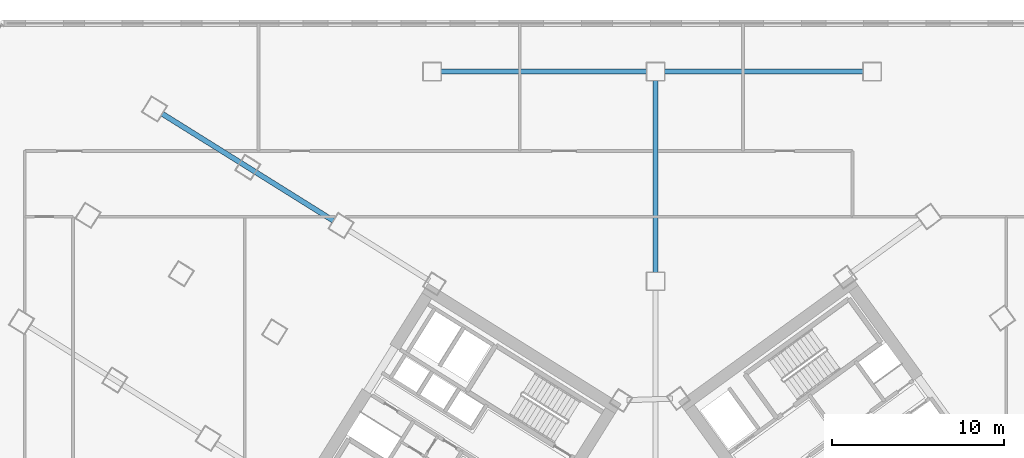
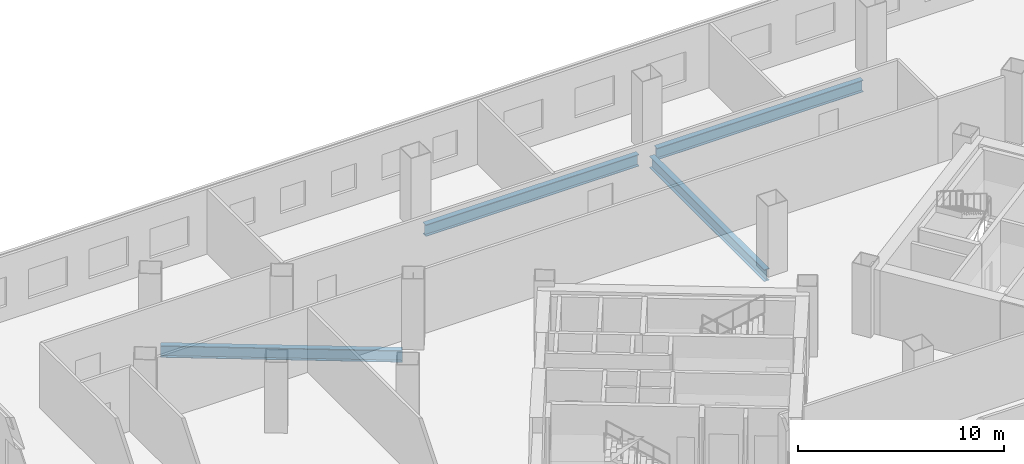
# One storey, part 5 of 22: 4 beams.
"""IFC4 building model written with IfcOpenShell, lengths in metres."""

from ifc_helpers import new_model, si_unit, direction, frame, origin, origin_2d, place, context, subcontext, project, spatial, i_section, extrude, source, transform, mapped, material, material_profile, profile_set, type_object, element, save


model = new_model("IFC4")

# Units and contexts
model_context = context("Model", 3, precision=1e-05, world=origin(), true_north=direction((0.0, 1.0)))
body_context = subcontext(model_context, "Body", "Model", "MODEL_VIEW")
ifc_project = project(units=[si_unit("LENGTHUNIT", "METRE"), si_unit("AREAUNIT", "SQUARE_METRE"), si_unit("VOLUMEUNIT", "CUBIC_METRE"), si_unit("PLANEANGLEUNIT", "RADIAN"), si_unit("MASSUNIT", "GRAM", prefix="KILO")], contexts=[model_context])

# Site, building, storey
site_placement = place(None, origin())
site = spatial("IfcSite", under=ifc_project, at=site_placement, CompositionType="ELEMENT")
building_placement = place(site_placement, origin())
building = spatial("IfcBuilding", under=site, at=building_placement, Name="Tlacorven Tower", CompositionType="ELEMENT")
storey_placement = place(building_placement, frame((0.0, 0.0, 14.39990234375)))
storey = spatial("IfcBuildingStorey", under=building, at=storey_placement, Name="L03", CompositionType="ELEMENT", Elevation=14.39990234375)

# Beams
ifc_material = material(Name="Steel S355J2", Category="steel")
ifc_material_profile = material_profile(ifc_material, i_section(OverallWidth=0.300048828125, OverallDepth=0.699951171875, WebThickness=0.01708984375, FlangeThickness=0.031982421875, at=origin_2d()), Name="HEB 700")
ifc_profile_set = profile_set([ifc_material_profile], Name="Steel S355J2")
beam_type = type_object("IfcBeamType", Name="BM-POD-700", PredefinedType="BEAM", material=ifc_profile_set)
shared_shape_1 = source(origin(), body_context, "Body", "SweptSolid", [
    extrude(i_section(OverallWidth=0.300048828125, OverallDepth=0.699951171875, WebThickness=0.01708984375, FlangeThickness=0.031982421875, at=origin_2d()), origin(), (0.0, 0.0, 1.0), 11.97998046875),
])
beam_1_placement = place(storey_placement, frame((30.31005859375, 43.60009765625, -0.699951171875), z_axis=(1.0, 0.0, 0.0), x_axis=(0.0, 1.0, 0.0)))
element("IfcBeam", 1, at=beam_1_placement, inside=storey, type_object=beam_type, Name="L03 beam BM-L03-GX4-1", PredefinedType="BEAM", context=body_context, shape_type="MappedRepresentation", body=[
    mapped(shared_shape_1, transform((0.0, 0.0, 0.0), scale=1.0)),
])
shared_shape_2 = source(origin(), body_context, "Body", "SweptSolid", [
    extrude(i_section(OverallWidth=0.300048828125, OverallDepth=0.699951171875, WebThickness=0.01708984375, FlangeThickness=0.031982421875, at=origin_2d()), origin(), (0.0, 0.0, 1.0), 11.579833984375),
])
beam_2_placement = place(storey_placement, frame((43.31005859375, 43.60009765625, -0.699951171875), z_axis=(1.0, 0.0, 0.0), x_axis=(0.0, 1.0, 0.0)))
element("IfcBeam", 2, at=beam_2_placement, inside=storey, type_object=beam_type, Name="L03 beam BM-L03-GX4-2", PredefinedType="BEAM", context=body_context, shape_type="MappedRepresentation", body=[
    mapped(shared_shape_2, transform((0.0, 0.0, 0.0), scale=1.0)),
])
shared_shape_3 = source(origin(), body_context, "Body", "SweptSolid", [
    extrude(i_section(OverallWidth=0.300048828125, OverallDepth=0.699951171875, WebThickness=0.01708984375, FlangeThickness=0.031982421875, at=origin_2d()), origin(), (0.0, 0.0, 1.0), 11.18017578125),
])
beam_3_placement = place(storey_placement, frame((42.800048828125, 31.909912109375, -0.699951171875), z_axis=(0.0, 1.0, 0.0), x_axis=(-1.0, 0.0, 0.0)))
element("IfcBeam", 3, at=beam_3_placement, inside=storey, type_object=beam_type, Name="L03 beam BM-L03-GY4-3", PredefinedType="BEAM", context=body_context, shape_type="MappedRepresentation", body=[
    mapped(shared_shape_3, transform((0.0, 0.0, 0.0), scale=1.0)),
])
shared_shape_4 = source(origin(), body_context, "Body", "SweptSolid", [
    extrude(i_section(OverallWidth=0.300048828125, OverallDepth=0.699951171875, WebThickness=0.01708984375, FlangeThickness=0.031982421875, at=origin_2d()), origin(), (0.0, 0.0, 1.0), 11.780029296875),
])
beam_4_placement = place(storey_placement, frame((24.06787109375, 34.9130859375, -0.699951171875), z_axis=(-0.848048366356, 0.529918831823, 0.0), x_axis=(-0.529918831823, -0.848048366356, 0.0)))
element("IfcBeam", 4, at=beam_4_placement, inside=storey, type_object=beam_type, Name="L03 beam BM-L03-WTG3-1", PredefinedType="BEAM", context=body_context, shape_type="MappedRepresentation", body=[
    mapped(shared_shape_4, transform((0.0, 0.0, 0.0), scale=1.0)),
])

save(model, "model.ifc")
